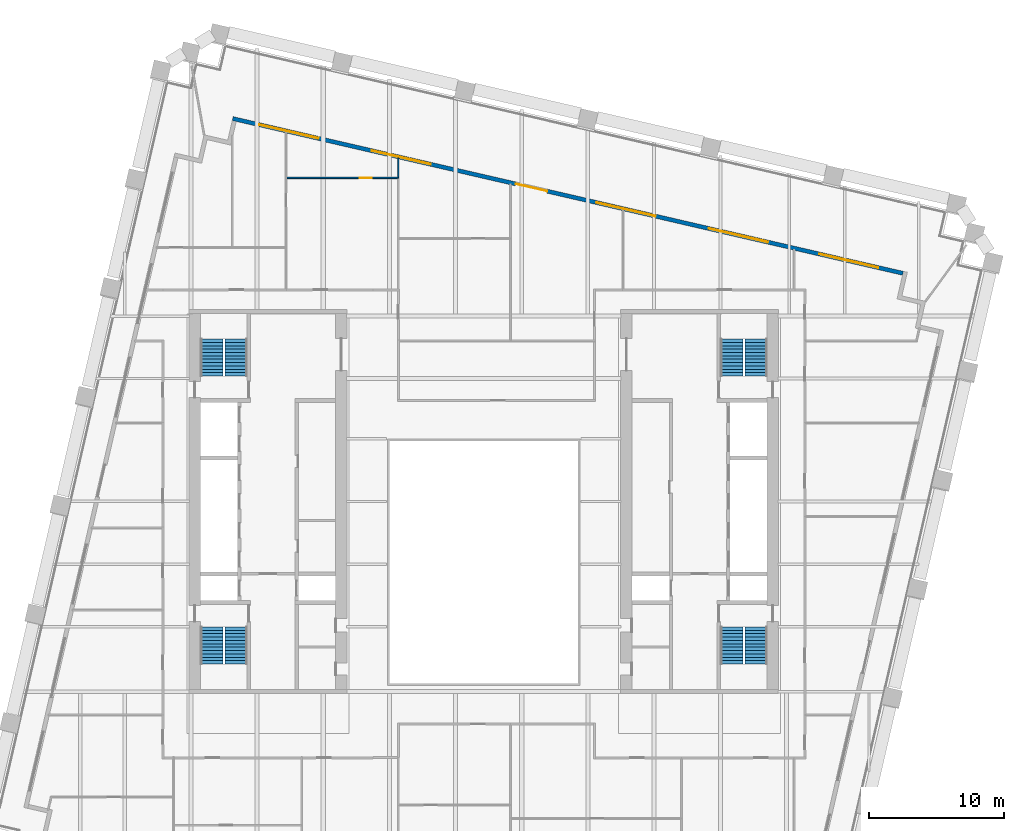
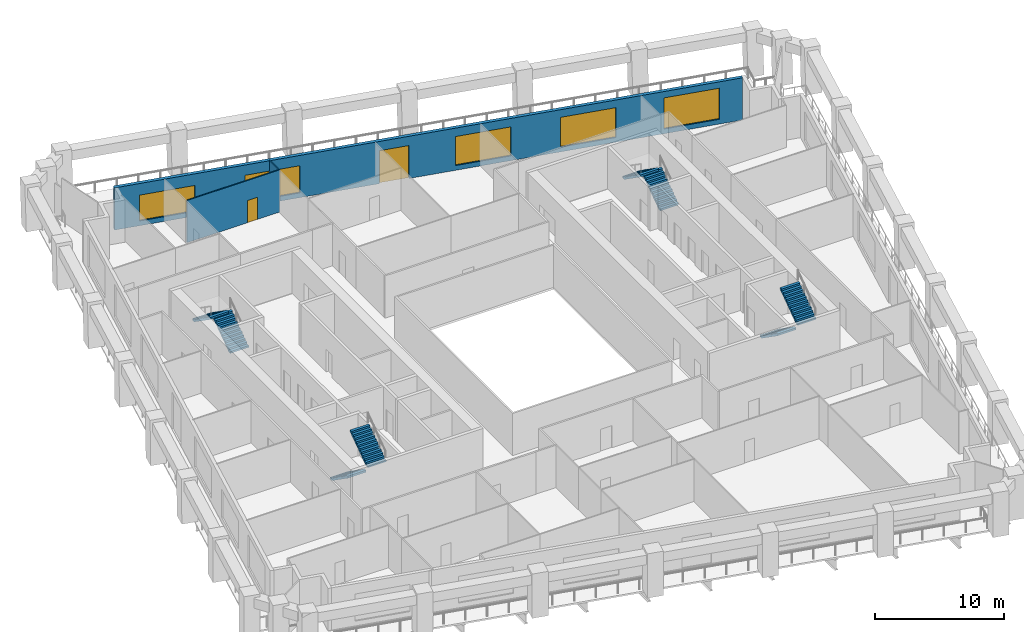
# One storey, part 10 of 11: 8 stair flights, 5 windows, 3 walls, 2 doors, 7 openings, 4 elements without a shape of their own.
"""IFC4 building model written with IfcOpenShell, lengths in metres."""

from ifc_helpers import new_model, si_unit, direction, frame, frame_2d, origin, place, context, subcontext, project, spatial, polyline, rectangle, outline, extrude, material, layer, layer_set, type_object, element, fill, aggregate, save


model = new_model("IFC4")

# Units and contexts
model_context = context("Model", 3, precision=1e-05, world=origin(), true_north=direction((0.0, 1.0)))
body_context = subcontext(model_context, "Body", "Model", "MODEL_VIEW")
ifc_project = project(units=[si_unit("LENGTHUNIT", "METRE"), si_unit("AREAUNIT", "SQUARE_METRE"), si_unit("VOLUMEUNIT", "CUBIC_METRE"), si_unit("PLANEANGLEUNIT", "RADIAN"), si_unit("MASSUNIT", "GRAM", prefix="KILO")], contexts=[model_context])

# Site, building, storey
site_placement = place(None, origin())
site = spatial("IfcSite", under=ifc_project, at=site_placement, CompositionType="ELEMENT")
building_placement = place(site_placement, origin())
building = spatial("IfcBuilding", under=site, at=building_placement, Name="Ogive Exchange Tower", CompositionType="ELEMENT")
storey_placement = place(building_placement, frame((0.0, 0.0, 135.0)))
storey = spatial("IfcBuildingStorey", under=building, at=storey_placement, Name="L29", CompositionType="ELEMENT", Elevation=135.0)

# Wall, openings, door, windows
ifc_material_1 = material(Name="Precast concrete C40/50", Category="concrete")
ifc_layer_1 = layer(ifc_material_1, 0.300048828125)
ifc_layer_set_1 = layer_set([ifc_layer_1], Name="Limestone-faced wall 300")
wall_type_1 = type_object("IfcWallType", Name="Limestone-faced wall 300", PredefinedType="STANDARD", material=ifc_layer_set_1)
wall_1_placement = place(storey_placement, frame((31.07763671875, 28.4208984375, 0.0), z_axis=(0.0, 0.0, 1.0), x_axis=(-0.974370456532, 0.224949357493, 0.0)))
wall_1 = element("IfcWall", 1, at=wall_1_placement, inside=storey, type_object=wall_type_1, Name="External wall N3", PredefinedType="STANDARD", context=body_context, shape_type="SweptSolid", body=[
    extrude(rectangle(XDim=51.0, YDim=0.300048828125, at=frame_2d((25.5, 0.0))), origin(), (0.0, 0.0, 1.0), 4.0),
])
opening_1_placement = place(wall_1_placement, frame((1.875, 0.0, 0.449951171875)))
opening_1 = element("IfcOpeningElement", 2, at=opening_1_placement, cuts=wall_1, Name="Opening W1B", PredefinedType="OPENING", context=body_context, shape_type="SweptSolid", body=[
    extrude(rectangle(XDim=4.5, YDim=2.949951171875, at=frame_2d((2.25, 1.47509765625))), frame((0.0, 0.159912109375, 0.0), z_axis=(0.0, -1.0, 0.0), x_axis=(1.0, 0.0, 0.0)), (0.0, 0.0, 1.0), 0.320068359375),
])
opening_2_placement = place(wall_1_placement, frame((10.27490234375, 0.0, 0.449951171875)))
opening_2 = element("IfcOpeningElement", 3, at=opening_2_placement, cuts=wall_1, Name="Opening W1E", PredefinedType="OPENING", context=body_context, shape_type="SweptSolid", body=[
    extrude(rectangle(XDim=4.5, YDim=2.824951171875, at=frame_2d((2.25, 1.41259765625))), frame((0.0, 0.159912109375, 0.0), z_axis=(0.0, -1.0, 0.0), x_axis=(1.0, 0.0, 0.0)), (0.0, 0.0, 1.0), 0.320068359375),
])
opening_3_placement = place(wall_1_placement, frame((18.824951171875, 0.0, 0.449951171875)))
opening_3 = element("IfcOpeningElement", 4, at=opening_3_placement, cuts=wall_1, Name="Opening W1H", PredefinedType="OPENING", context=body_context, shape_type="SweptSolid", body=[
    extrude(rectangle(XDim=4.5, YDim=2.75, at=frame_2d((2.25, 1.375))), frame((0.0, 0.159912109375, 0.0), z_axis=(0.0, -1.0, 0.0), x_axis=(1.0, 0.0, 0.0)), (0.0, 0.0, 1.0), 0.320068359375),
])
opening_4_placement = place(wall_1_placement, frame((27.074951171875, 0.0, 0.0)))
opening_4 = element("IfcOpeningElement", 5, at=opening_4_placement, cuts=wall_1, Name="Opening D1J", PredefinedType="OPENING", context=body_context, shape_type="SweptSolid", body=[
    extrude(rectangle(XDim=2.39990234375, YDim=3.125, at=frame_2d((1.199951171875, 1.5625))), frame((0.0, 0.159912109375, 0.0), z_axis=(0.0, -1.0, 0.0), x_axis=(1.0, 0.0, 0.0)), (0.0, 0.0, 1.0), 0.320068359375),
])
opening_5_placement = place(wall_1_placement, frame((35.925048828125, 0.0, 0.449951171875)))
opening_5 = element("IfcOpeningElement", 6, at=opening_5_placement, cuts=wall_1, Name="Opening W1M", PredefinedType="OPENING", context=body_context, shape_type="SweptSolid", body=[
    extrude(rectangle(XDim=4.5, YDim=2.574951171875, at=frame_2d((2.25, 1.28759765625))), frame((0.0, 0.159912109375, 0.0), z_axis=(0.0, -1.0, 0.0), x_axis=(1.0, 0.0, 0.0)), (0.0, 0.0, 1.0), 0.320068359375),
])
opening_6_placement = place(wall_1_placement, frame((44.47509765625, 0.0, 0.449951171875)))
opening_6 = element("IfcOpeningElement", 7, at=opening_6_placement, cuts=wall_1, Name="Opening W1Q", PredefinedType="OPENING", context=body_context, shape_type="SweptSolid", body=[
    extrude(rectangle(XDim=4.5, YDim=2.449951171875, at=frame_2d((2.25, 1.22509765625))), frame((0.0, 0.159912109375, 0.0), z_axis=(0.0, -1.0, 0.0), x_axis=(1.0, 0.0, 0.0)), (0.0, 0.0, 1.0), 0.320068359375),
])
ifc_material_2 = material(Name="Clear glass in bronze frame", Category="glass")
door_type_1 = type_object("IfcDoorType", Name="Sliding loggia door 2400 x 3125", OperationType="DOUBLE_DOOR_SLIDING", PredefinedType="DOOR", material=ifc_material_2)
door_1_placement = place(opening_4_placement, origin())
door_1 = element("IfcDoor", 8, at=door_1_placement, inside=storey, type_object=door_type_1, Name="Loggia door N03", OperationType="DOUBLE_DOOR_SLIDING", OverallHeight=3.125, OverallWidth=2.39990234375, PredefinedType="DOOR", context=body_context, shape_type="SweptSolid", body=[
    extrude(rectangle(XDim=2.39990234375, YDim=3.125, at=frame_2d((1.199951171875, 1.5625))), frame((0.0, 0.02490234375, 0.0), z_axis=(0.0, -1.0, 0.0), x_axis=(1.0, 0.0, 0.0)), (0.0, 0.0, 1.0), 0.050048828125),
])
fill(opening_4, door_1)
window_type_1 = type_object("IfcWindowType", Name="Twin lancet window 4500 x 2450", PartitioningType="DOUBLE_PANEL_VERTICAL", PredefinedType="WINDOW", material=ifc_material_2)
window_1_placement = place(opening_6_placement, origin())
window_1 = element("IfcWindow", 9, at=window_1_placement, inside=storey, type_object=window_type_1, Name="Window N05", OverallHeight=2.449951171875, OverallWidth=4.5, PartitioningType="DOUBLE_PANEL_VERTICAL", PredefinedType="WINDOW", context=body_context, shape_type="SweptSolid", body=[
    extrude(rectangle(XDim=4.5, YDim=2.449951171875, at=frame_2d((2.25, 1.22509765625))), frame((0.0, 0.030029296875, 0.0), z_axis=(0.0, -1.0, 0.0), x_axis=(1.0, 0.0, 0.0)), (0.0, 0.0, 1.0), 0.06005859375),
])
fill(opening_6, window_1)
window_type_2 = type_object("IfcWindowType", Name="Twin lancet window 4500 x 2575", PartitioningType="DOUBLE_PANEL_VERTICAL", PredefinedType="WINDOW", material=ifc_material_2)
window_2_placement = place(opening_5_placement, origin())
window_2 = element("IfcWindow", 10, at=window_2_placement, inside=storey, type_object=window_type_2, Name="Window N04", OverallHeight=2.574951171875, OverallWidth=4.5, PartitioningType="DOUBLE_PANEL_VERTICAL", PredefinedType="WINDOW", context=body_context, shape_type="SweptSolid", body=[
    extrude(rectangle(XDim=4.5, YDim=2.574951171875, at=frame_2d((2.25, 1.28759765625))), frame((0.0, 0.030029296875, 0.0), z_axis=(0.0, -1.0, 0.0), x_axis=(1.0, 0.0, 0.0)), (0.0, 0.0, 1.0), 0.06005859375),
])
fill(opening_5, window_2)
window_type_3 = type_object("IfcWindowType", Name="Twin lancet window 4500 x 2750", PartitioningType="DOUBLE_PANEL_VERTICAL", PredefinedType="WINDOW", material=ifc_material_2)
window_3_placement = place(opening_3_placement, origin())
window_3 = element("IfcWindow", 11, at=window_3_placement, inside=storey, type_object=window_type_3, Name="Window N02", OverallHeight=2.75, OverallWidth=4.5, PartitioningType="DOUBLE_PANEL_VERTICAL", PredefinedType="WINDOW", context=body_context, shape_type="SweptSolid", body=[
    extrude(rectangle(XDim=4.5, YDim=2.75, at=frame_2d((2.25, 1.375))), frame((0.0, 0.030029296875, 0.0), z_axis=(0.0, -1.0, 0.0), x_axis=(1.0, 0.0, 0.0)), (0.0, 0.0, 1.0), 0.06005859375),
])
fill(opening_3, window_3)
window_type_4 = type_object("IfcWindowType", Name="Twin lancet window 4500 x 2825", PartitioningType="DOUBLE_PANEL_VERTICAL", PredefinedType="WINDOW", material=ifc_material_2)
window_4_placement = place(opening_2_placement, origin())
window_4 = element("IfcWindow", 12, at=window_4_placement, inside=storey, type_object=window_type_4, Name="Window N01", OverallHeight=2.824951171875, OverallWidth=4.5, PartitioningType="DOUBLE_PANEL_VERTICAL", PredefinedType="WINDOW", context=body_context, shape_type="SweptSolid", body=[
    extrude(rectangle(XDim=4.5, YDim=2.824951171875, at=frame_2d((2.25, 1.41259765625))), frame((0.0, 0.030029296875, 0.0), z_axis=(0.0, -1.0, 0.0), x_axis=(1.0, 0.0, 0.0)), (0.0, 0.0, 1.0), 0.06005859375),
])
fill(opening_2, window_4)
window_type_5 = type_object("IfcWindowType", Name="Twin lancet window 4500 x 2950", PartitioningType="DOUBLE_PANEL_VERTICAL", PredefinedType="WINDOW", material=ifc_material_2)
window_5_placement = place(opening_1_placement, origin())
window_5 = element("IfcWindow", 13, at=window_5_placement, inside=storey, type_object=window_type_5, Name="Window N00", OverallHeight=2.949951171875, OverallWidth=4.5, PartitioningType="DOUBLE_PANEL_VERTICAL", PredefinedType="WINDOW", context=body_context, shape_type="SweptSolid", body=[
    extrude(rectangle(XDim=4.5, YDim=2.949951171875, at=frame_2d((2.25, 1.47509765625))), frame((0.0, 0.030029296875, 0.0), z_axis=(0.0, -1.0, 0.0), x_axis=(1.0, 0.0, 0.0)), (0.0, 0.0, 1.0), 0.06005859375),
])
fill(opening_1, window_5)

# Wall, opening, door
ifc_material_3 = material(Name="Partition 100 gypsum")
ifc_layer_2 = layer(ifc_material_3, 0.10009765625)
ifc_layer_set_2 = layer_set([ifc_layer_2], Name="Partition 100 gypsum")
wall_type_2 = type_object("IfcWallType", Name="Partition 100 gypsum", PredefinedType="PARTITIONING", material=ifc_layer_set_2)
wall_2_placement = place(storey_placement, frame((-14.6201171875, 35.5, 0.0), z_axis=(0.0, 0.0, 1.0), x_axis=(1.0, 0.0, 0.0)))
wall_2 = element("IfcWall", 14, at=wall_2_placement, inside=storey, type_object=wall_type_2, Name="L29-PWL-030", PredefinedType="PARTITIONING", context=body_context, shape_type="SweptSolid", body=[
    extrude(rectangle(XDim=8.330078125, YDim=0.10009765625, at=frame_2d((4.1650390625, 0.0))), origin(), (0.0, 0.0, 1.0), 4.0),
])
opening_7_placement = place(wall_2_placement, frame((5.429931640625, 0.0, 0.0)))
opening_7 = element("IfcOpeningElement", 15, at=opening_7_placement, cuts=wall_2, Name="Opening L29-I19", PredefinedType="OPENING", context=body_context, shape_type="SweptSolid", body=[
    extrude(rectangle(XDim=0.89990234375, YDim=2.10009765625, at=frame_2d((0.449951171875, 1.050048828125))), frame((0.0, 0.06005859375, 0.0), z_axis=(0.0, -1.0, 0.0), x_axis=(1.0, 0.0, 0.0)), (0.0, 0.0, 1.0), 0.1201171875),
])
ifc_material_4 = material(Name="Door 900 x 2100")
door_type_2 = type_object("IfcDoorType", Name="Door 900 x 2100", OperationType="NOTDEFINED", PredefinedType="DOOR", material=ifc_material_4)
door_2_placement = place(opening_7_placement, origin())
door_2 = element("IfcDoor", 16, at=door_2_placement, inside=storey, type_object=door_type_2, Name="L29-IDR-019", ObjectType="DT1", OperationType="SINGLE_SWING_LEFT", OverallHeight=2.10009765625, OverallWidth=0.89990234375, PredefinedType="DOOR", context=body_context, shape_type="SweptSolid", body=[
    extrude(rectangle(XDim=0.89990234375, YDim=2.10009765625, at=frame_2d((0.449951171875, 1.050048828125))), frame((0.0, 0.02490234375, 0.0), z_axis=(0.0, -1.0, 0.0), x_axis=(1.0, 0.0, 0.0)), (0.0, 0.0, 1.0), 0.050048828125),
])
fill(opening_7, door_2)

# Wall
wall_3_placement = place(storey_placement, frame((-6.340087890625, 35.550048828125, 0.0), z_axis=(0.0, 0.0, 1.0), x_axis=(0.0, 1.0, 0.0)))
element("IfcWall", 17, at=wall_3_placement, inside=storey, type_object=wall_type_2, Name="L29-PWL-049", PredefinedType="PARTITIONING", context=body_context, shape_type="SweptSolid", body=[
    extrude(rectangle(XDim=1.43798828125, YDim=0.10009765625, at=frame_2d((0.718994140625, 0.0))), origin(), (0.0, 0.0, 1.0), 4.0),
])

# Stair, stair flights
ifc_material_5 = material(Name="Concrete C40/50", Category="concrete")
stair_type = type_object("IfcStairType", Name="Exit stair 1650 wide", PredefinedType="HALF_TURN_STAIR", material=ifc_material_5)
stair_1_placement = place(storey_placement, origin())
stair_1 = element("IfcStair", 18, at=stair_1_placement, inside=storey, type_object=stair_type, Name="L29 exit stair ST1", PredefinedType="HALF_TURN_STAIR")
stair_flight_type = type_object("IfcStairFlightType", Name="Stair flight 1650 wide", PredefinedType="STRAIGHT", material=ifc_material_5)
stair_flight_1_placement = place(storey_placement, frame((-20.175048828125, 2.199951171875, 0.0), z_axis=(0.0, 0.0, 1.0), x_axis=(0.0, -1.0, 0.0)))
stair_flight_1 = element("IfcStairFlight", 19, at=stair_flight_1_placement, type_object=stair_flight_type, Name="ST1 flight 1", NumberOfRisers=12, NumberOfTreads=11, PredefinedType="STRAIGHT", RiserHeight=0.175, TreadLength=0.25, context=body_context, shape_type="SweptSolid", body=[
    extrude(outline(polyline([(0.0, 0.0), (0.0, 0.175048828125), (0.25, 0.175048828125), (0.25, 0.35009765625), (0.5, 0.35009765625), (0.5, 0.52490234375), (0.75, 0.52490234375), (0.75, 0.699951171875), (1.0, 0.699951171875), (1.0, 0.875), (1.25, 0.875), (1.25, 1.050048828125), (1.5, 1.050048828125), (1.5, 1.22509765625), (1.75, 1.22509765625), (1.75, 1.39990234375), (2.0, 1.39990234375), (2.0, 1.574951171875), (2.25, 1.574951171875), (2.25, 1.75), (2.5, 1.75), (2.5, 1.925048828125), (2.75, 1.925048828125), (2.75, 2.10009765625), (2.75, 1.741943359375), (0.261474609375, 0.0), (0.0, 0.0)])), frame((0.0, 0.824951171875, 0.0), z_axis=(0.0, -1.0, 0.0), x_axis=(1.0, 0.0, 0.0)), (0.0, 0.0, 1.0), 1.64990234375),
])
stair_flight_2_placement = place(storey_placement, frame((-18.375, -0.550048828125, 2.10009765625), z_axis=(0.0, 0.0, 1.0), x_axis=(0.0, 1.0, 0.0)))
stair_flight_2 = element("IfcStairFlight", 20, at=stair_flight_2_placement, type_object=stair_flight_type, Name="ST1 flight 2", NumberOfRisers=12, NumberOfTreads=11, PredefinedType="STRAIGHT", RiserHeight=0.175, TreadLength=0.25, context=body_context, shape_type="SweptSolid", body=[
    extrude(outline(polyline([(0.0, 0.0), (0.0, 0.175048828125), (0.25, 0.175048828125), (0.25, 0.35009765625), (0.5, 0.35009765625), (0.5, 0.52490234375), (0.75, 0.52490234375), (0.75, 0.699951171875), (1.0, 0.699951171875), (1.0, 0.875), (1.25, 0.875), (1.25, 1.050048828125), (1.5, 1.050048828125), (1.5, 1.22509765625), (1.75, 1.22509765625), (1.75, 1.39990234375), (2.0, 1.39990234375), (2.0, 1.574951171875), (2.25, 1.574951171875), (2.25, 1.75), (2.5, 1.75), (2.5, 1.925048828125), (2.75, 1.925048828125), (2.75, 2.10009765625), (2.75, 1.741943359375), (0.261474609375, 0.0), (0.0, 0.0)])), frame((0.0, 0.824951171875, 0.0), z_axis=(0.0, -1.0, 0.0), x_axis=(1.0, 0.0, 0.0)), (0.0, 0.0, 1.0), 1.64990234375),
])
aggregate(stair_1, [stair_flight_1, stair_flight_2])

stair_2_placement = place(storey_placement, origin())
stair_2 = element("IfcStair", 21, at=stair_2_placement, inside=storey, type_object=stair_type, Name="L29 exit stair ST2", PredefinedType="HALF_TURN_STAIR")
stair_flight_3_placement = place(storey_placement, frame((-18.375, 20.800048828125, 0.0), z_axis=(0.0, 0.0, 1.0), x_axis=(0.0, 1.0, 0.0)))
stair_flight_3 = element("IfcStairFlight", 22, at=stair_flight_3_placement, type_object=stair_flight_type, Name="ST2 flight 1", NumberOfRisers=12, NumberOfTreads=11, PredefinedType="STRAIGHT", RiserHeight=0.175, TreadLength=0.25, context=body_context, shape_type="SweptSolid", body=[
    extrude(outline(polyline([(0.0, 0.0), (0.0, 0.175048828125), (0.25, 0.175048828125), (0.25, 0.35009765625), (0.5, 0.35009765625), (0.5, 0.52490234375), (0.75, 0.52490234375), (0.75, 0.699951171875), (1.0, 0.699951171875), (1.0, 0.875), (1.25, 0.875), (1.25, 1.050048828125), (1.5, 1.050048828125), (1.5, 1.22509765625), (1.75, 1.22509765625), (1.75, 1.39990234375), (2.0, 1.39990234375), (2.0, 1.574951171875), (2.25, 1.574951171875), (2.25, 1.75), (2.5, 1.75), (2.5, 1.925048828125), (2.75, 1.925048828125), (2.75, 2.10009765625), (2.75, 1.741943359375), (0.261474609375, 0.0), (0.0, 0.0)])), frame((0.0, 0.824951171875, 0.0), z_axis=(0.0, -1.0, 0.0), x_axis=(1.0, 0.0, 0.0)), (0.0, 0.0, 1.0), 1.64990234375),
])
stair_flight_4_placement = place(storey_placement, frame((-20.175048828125, 23.550048828125, 2.10009765625), z_axis=(0.0, 0.0, 1.0), x_axis=(0.0, -1.0, 0.0)))
stair_flight_4 = element("IfcStairFlight", 23, at=stair_flight_4_placement, type_object=stair_flight_type, Name="ST2 flight 2", NumberOfRisers=12, NumberOfTreads=11, PredefinedType="STRAIGHT", RiserHeight=0.175, TreadLength=0.25, context=body_context, shape_type="SweptSolid", body=[
    extrude(outline(polyline([(0.0, 0.0), (0.0, 0.175048828125), (0.25, 0.175048828125), (0.25, 0.35009765625), (0.5, 0.35009765625), (0.5, 0.52490234375), (0.75, 0.52490234375), (0.75, 0.699951171875), (1.0, 0.699951171875), (1.0, 0.875), (1.25, 0.875), (1.25, 1.050048828125), (1.5, 1.050048828125), (1.5, 1.22509765625), (1.75, 1.22509765625), (1.75, 1.39990234375), (2.0, 1.39990234375), (2.0, 1.574951171875), (2.25, 1.574951171875), (2.25, 1.75), (2.5, 1.75), (2.5, 1.925048828125), (2.75, 1.925048828125), (2.75, 2.10009765625), (2.75, 1.741943359375), (0.261474609375, 0.0), (0.0, 0.0)])), frame((0.0, 0.824951171875, 0.0), z_axis=(0.0, -1.0, 0.0), x_axis=(1.0, 0.0, 0.0)), (0.0, 0.0, 1.0), 1.64990234375),
])
aggregate(stair_2, [stair_flight_3, stair_flight_4])

stair_3_placement = place(storey_placement, origin())
stair_3 = element("IfcStair", 24, at=stair_3_placement, inside=storey, type_object=stair_type, Name="L29 exit stair ST3", PredefinedType="HALF_TURN_STAIR")
stair_flight_5_placement = place(storey_placement, frame((18.375, 2.199951171875, 0.0), z_axis=(0.0, 0.0, 1.0), x_axis=(0.0, -1.0, 0.0)))
stair_flight_5 = element("IfcStairFlight", 25, at=stair_flight_5_placement, type_object=stair_flight_type, Name="ST3 flight 1", NumberOfRisers=12, NumberOfTreads=11, PredefinedType="STRAIGHT", RiserHeight=0.175, TreadLength=0.25, context=body_context, shape_type="SweptSolid", body=[
    extrude(outline(polyline([(0.0, 0.0), (0.0, 0.175048828125), (0.25, 0.175048828125), (0.25, 0.35009765625), (0.5, 0.35009765625), (0.5, 0.52490234375), (0.75, 0.52490234375), (0.75, 0.699951171875), (1.0, 0.699951171875), (1.0, 0.875), (1.25, 0.875), (1.25, 1.050048828125), (1.5, 1.050048828125), (1.5, 1.22509765625), (1.75, 1.22509765625), (1.75, 1.39990234375), (2.0, 1.39990234375), (2.0, 1.574951171875), (2.25, 1.574951171875), (2.25, 1.75), (2.5, 1.75), (2.5, 1.925048828125), (2.75, 1.925048828125), (2.75, 2.10009765625), (2.75, 1.741943359375), (0.261474609375, 0.0), (0.0, 0.0)])), frame((0.0, 0.824951171875, 0.0), z_axis=(0.0, -1.0, 0.0), x_axis=(1.0, 0.0, 0.0)), (0.0, 0.0, 1.0), 1.64990234375),
])
stair_flight_6_placement = place(storey_placement, frame((20.175048828125, -0.550048828125, 2.10009765625), z_axis=(0.0, 0.0, 1.0), x_axis=(0.0, 1.0, 0.0)))
stair_flight_6 = element("IfcStairFlight", 26, at=stair_flight_6_placement, type_object=stair_flight_type, Name="ST3 flight 2", NumberOfRisers=12, NumberOfTreads=11, PredefinedType="STRAIGHT", RiserHeight=0.175, TreadLength=0.25, context=body_context, shape_type="SweptSolid", body=[
    extrude(outline(polyline([(0.0, 0.0), (0.0, 0.175048828125), (0.25, 0.175048828125), (0.25, 0.35009765625), (0.5, 0.35009765625), (0.5, 0.52490234375), (0.75, 0.52490234375), (0.75, 0.699951171875), (1.0, 0.699951171875), (1.0, 0.875), (1.25, 0.875), (1.25, 1.050048828125), (1.5, 1.050048828125), (1.5, 1.22509765625), (1.75, 1.22509765625), (1.75, 1.39990234375), (2.0, 1.39990234375), (2.0, 1.574951171875), (2.25, 1.574951171875), (2.25, 1.75), (2.5, 1.75), (2.5, 1.925048828125), (2.75, 1.925048828125), (2.75, 2.10009765625), (2.75, 1.741943359375), (0.261474609375, 0.0), (0.0, 0.0)])), frame((0.0, 0.824951171875, 0.0), z_axis=(0.0, -1.0, 0.0), x_axis=(1.0, 0.0, 0.0)), (0.0, 0.0, 1.0), 1.64990234375),
])
aggregate(stair_3, [stair_flight_5, stair_flight_6])

stair_4_placement = place(storey_placement, origin())
stair_4 = element("IfcStair", 27, at=stair_4_placement, inside=storey, type_object=stair_type, Name="L29 exit stair ST4", PredefinedType="HALF_TURN_STAIR")
stair_flight_7_placement = place(storey_placement, frame((20.175048828125, 20.800048828125, 0.0), z_axis=(0.0, 0.0, 1.0), x_axis=(0.0, 1.0, 0.0)))
stair_flight_7 = element("IfcStairFlight", 28, at=stair_flight_7_placement, type_object=stair_flight_type, Name="ST4 flight 1", NumberOfRisers=12, NumberOfTreads=11, PredefinedType="STRAIGHT", RiserHeight=0.175, TreadLength=0.25, context=body_context, shape_type="SweptSolid", body=[
    extrude(outline(polyline([(0.0, 0.0), (0.0, 0.175048828125), (0.25, 0.175048828125), (0.25, 0.35009765625), (0.5, 0.35009765625), (0.5, 0.52490234375), (0.75, 0.52490234375), (0.75, 0.699951171875), (1.0, 0.699951171875), (1.0, 0.875), (1.25, 0.875), (1.25, 1.050048828125), (1.5, 1.050048828125), (1.5, 1.22509765625), (1.75, 1.22509765625), (1.75, 1.39990234375), (2.0, 1.39990234375), (2.0, 1.574951171875), (2.25, 1.574951171875), (2.25, 1.75), (2.5, 1.75), (2.5, 1.925048828125), (2.75, 1.925048828125), (2.75, 2.10009765625), (2.75, 1.741943359375), (0.261474609375, 0.0), (0.0, 0.0)])), frame((0.0, 0.824951171875, 0.0), z_axis=(0.0, -1.0, 0.0), x_axis=(1.0, 0.0, 0.0)), (0.0, 0.0, 1.0), 1.64990234375),
])
stair_flight_8_placement = place(storey_placement, frame((18.375, 23.550048828125, 2.10009765625), z_axis=(0.0, 0.0, 1.0), x_axis=(0.0, -1.0, 0.0)))
stair_flight_8 = element("IfcStairFlight", 29, at=stair_flight_8_placement, type_object=stair_flight_type, Name="ST4 flight 2", NumberOfRisers=12, NumberOfTreads=11, PredefinedType="STRAIGHT", RiserHeight=0.175, TreadLength=0.25, context=body_context, shape_type="SweptSolid", body=[
    extrude(outline(polyline([(0.0, 0.0), (0.0, 0.175048828125), (0.25, 0.175048828125), (0.25, 0.35009765625), (0.5, 0.35009765625), (0.5, 0.52490234375), (0.75, 0.52490234375), (0.75, 0.699951171875), (1.0, 0.699951171875), (1.0, 0.875), (1.25, 0.875), (1.25, 1.050048828125), (1.5, 1.050048828125), (1.5, 1.22509765625), (1.75, 1.22509765625), (1.75, 1.39990234375), (2.0, 1.39990234375), (2.0, 1.574951171875), (2.25, 1.574951171875), (2.25, 1.75), (2.5, 1.75), (2.5, 1.925048828125), (2.75, 1.925048828125), (2.75, 2.10009765625), (2.75, 1.741943359375), (0.261474609375, 0.0), (0.0, 0.0)])), frame((0.0, 0.824951171875, 0.0), z_axis=(0.0, -1.0, 0.0), x_axis=(1.0, 0.0, 0.0)), (0.0, 0.0, 1.0), 1.64990234375),
])
aggregate(stair_4, [stair_flight_7, stair_flight_8])

save(model, "model.ifc")
